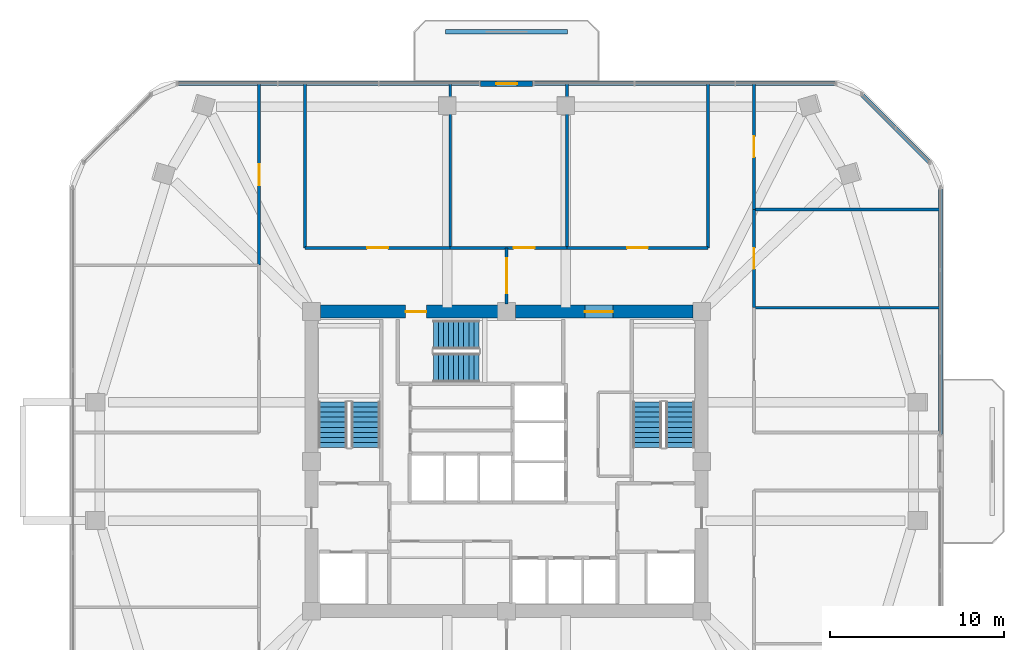
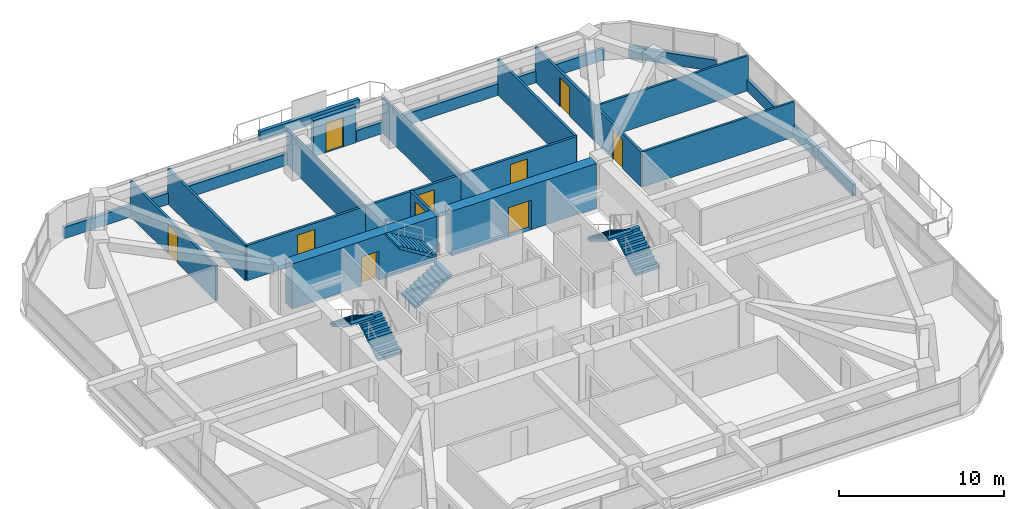
# One storey, part 11 of 13: 21 walls, 10 doors, 6 stair flights, 10 openings, 3 elements without a shape of their own.
"""IFC4 building model written with IfcOpenShell, lengths in metres."""

from ifc_helpers import new_model, si_unit, derived_unit, direction, frame, frame_2d, origin, place, context, subcontext, project, spatial, polyline, rectangle, outline, extrude, material, layer, layer_set, type_object, element, fill, aggregate, save


model = new_model("IFC4")

# Units and contexts
model_context = context("Model", 3, precision=1e-05, world=origin(), true_north=direction((0.0, 1.0)))
body_context = subcontext(model_context, "Body", "Model", "MODEL_VIEW")
ifc_project = project(units=[si_unit("LENGTHUNIT", "METRE"), si_unit("AREAUNIT", "SQUARE_METRE"), si_unit("VOLUMEUNIT", "CUBIC_METRE"), si_unit("PLANEANGLEUNIT", "RADIAN"), si_unit("MASSUNIT", "GRAM", prefix="KILO"), derived_unit("THERMALTRANSMITTANCEUNIT", [(si_unit("POWERUNIT", "WATT"), 1), (si_unit("LENGTHUNIT", "METRE"), -2), (si_unit("THERMODYNAMICTEMPERATUREUNIT", "KELVIN"), -1)])], contexts=[model_context])

# Site, building, storey
site_placement = place(None, origin())
site = spatial("IfcSite", under=ifc_project, at=site_placement, CompositionType="ELEMENT")
building_placement = place(site_placement, origin())
building = spatial("IfcBuilding", under=site, at=building_placement, Name="Koralith Skygarden Medical Center", CompositionType="ELEMENT")
storey_placement = place(building_placement, frame((0.0, 0.0, 109.97998046875)))
storey = spatial("IfcBuildingStorey", under=building, at=storey_placement, Name="L28", CompositionType="ELEMENT", Elevation=109.97998046875)

# Walls
ifc_material_1 = material(Name="Gypsum Board Partition")
ifc_layer_1 = layer(ifc_material_1, 0.14990234375)
ifc_layer_set_1 = layer_set([ifc_layer_1], Name="Gypsum Board Partition")
wall_type_1 = type_object("IfcWallType", Name="Clinical Acoustic Partition 150", PredefinedType="PARTITIONING", material=ifc_layer_set_1)
for number, where, z_axis, x_axis, name in (
    (1, (33.762939453125, 38.159912109375, 0.0), (0.0, 0.0, 1.0), (0.0, 1.0, 0.0), "L28 Clinical Acoustic Partition 150 W-PART-L28-N-01"),
    (2, (40.468017578125, 38.159912109375, 0.0), (0.0, 0.0, 1.0), (0.0, 1.0, 0.0), "L28 Clinical Acoustic Partition 150 W-PART-L28-N-02"),
):
    element("IfcWall", number, at=place(storey_placement, frame(where, z_axis=z_axis, x_axis=x_axis)), inside=storey, type_object=wall_type_1, Name=name, PredefinedType="PARTITIONING", context=body_context, shape_type="SweptSolid", body=[
        extrude(rectangle(XDim=9.4091796875, YDim=0.14990234375, at=frame_2d((4.70458984375, 0.0))), origin(), (0.0, 0.0, 1.0), 2.610107421875),
    ])
for number, where, z_axis, x_axis, name in (
    (3, (51.2099609375, 34.73095703125, 0.0), (0.0, 0.0, 1.0), (1.0, 0.0, 0.0), "L28 Clinical Acoustic Partition 150 W-PART-L28-EN-01"),
    (4, (51.2099609375, 40.365966796875, 0.0), (0.0, 0.0, 1.0), (1.0, 0.0, 0.0), "L28 Clinical Acoustic Partition 150 W-PART-L28-EN-02"),
):
    element("IfcWall", number, at=place(storey_placement, frame(where, z_axis=z_axis, x_axis=x_axis)), inside=storey, type_object=wall_type_1, Name=name, PredefinedType="PARTITIONING", context=body_context, shape_type="SweptSolid", body=[
        extrude(rectangle(XDim=10.676025390625, YDim=0.14990234375, at=frame_2d((5.337890625, 0.0))), origin(), (0.0, 0.0, 1.0), 2.610107421875),
    ])
ifc_layer_2 = layer(ifc_material_1, 0.1650390625)
ifc_layer_set_2 = layer_set([ifc_layer_2], Name="Gypsum Board Partition")
wall_type_2 = type_object("IfcWallType", Name="Clinical Corridor Partition 165", PredefinedType="PARTITIONING", material=ifc_layer_set_2)
for number, where, z_axis, x_axis, name in (
    (5, (25.429931640625, 38.159912109375, 0.0), (0.0, 0.0, 1.0), (0.0, 1.0, 0.0), "L28 Clinical Corridor Partition 165 W-HCOR-L28-NW"),
    (6, (48.570068359375, 38.159912109375, 0.0), (0.0, 0.0, 1.0), (0.0, 1.0, 0.0), "L28 Clinical Corridor Partition 165 W-HCOR-L28-NE"),
):
    element("IfcWall", number, at=place(storey_placement, frame(where, z_axis=z_axis, x_axis=x_axis)), inside=storey, type_object=wall_type_2, Name=name, PredefinedType="PARTITIONING", context=body_context, shape_type="SweptSolid", body=[
        extrude(rectangle(XDim=9.4091796875, YDim=0.1650390625, at=frame_2d((4.70458984375, 0.0))), origin(), (0.0, 0.0, 1.0), 2.610107421875),
    ])

# Wall, opening, door
wall_1_placement = place(storey_placement, frame((25.429931640625, 38.159912109375, 0.0), z_axis=(0.0, 0.0, 1.0), x_axis=(1.0, 0.0, 0.0)))
wall_1 = element("IfcWall", 7, at=wall_1_placement, inside=storey, type_object=wall_type_2, Name="L28 Clinical Corridor Partition 165 W-CORR-L28-N-01", PredefinedType="PARTITIONING", context=body_context, shape_type="SweptSolid", body=[
    extrude(rectangle(XDim=8.3330078125, YDim=0.1650390625, at=frame_2d((4.16650390625, 0.0))), origin(), (0.0, 0.0, 1.0), 2.610107421875),
])
opening_1_placement = place(wall_1_placement, frame((3.56591796875, 0.0, 0.0)))
opening_1 = element("IfcOpeningElement", 8, at=opening_1_placement, cuts=wall_1, Name="Opening D-CLN", PredefinedType="OPENING", context=body_context, shape_type="SweptSolid", body=[
    extrude(rectangle(XDim=1.199951171875, YDim=2.14990234375, at=frame_2d((0.60009765625, 1.074951171875))), frame((0.0, 0.092529296875, 0.0), z_axis=(0.0, -1.0, 0.0), x_axis=(1.0, 0.0, 0.0)), (0.0, 0.0, 1.0), 0.18505859375),
])
ifc_material_2 = material(Name="Aluminium 6063-T6", Category="aluminium")
door_type_1 = type_object("IfcDoorType", Name="Clinical Corridor Door D-CLN 1200", OperationType="NOTDEFINED", PredefinedType="DOOR", material=ifc_material_2)
door_1_placement = place(opening_1_placement, origin())
door_1 = element("IfcDoor", 9, at=door_1_placement, inside=storey, type_object=door_type_1, Name="L28 Tumor Board Conference Room 01 Door", OperationType="SINGLE_SWING_RIGHT", OverallHeight=2.14990234375, OverallWidth=1.199951171875, PredefinedType="DOOR", context=body_context, shape_type="SweptSolid", body=[
    extrude(rectangle(XDim=1.199951171875, YDim=2.14990234375, at=frame_2d((0.60009765625, 1.074951171875))), frame((0.0, 0.02490234375, 0.0), z_axis=(0.0, -1.0, 0.0), x_axis=(1.0, 0.0, 0.0)), (0.0, 0.0, 1.0), 0.050048828125),
])
fill(opening_1, door_1)

wall_2_placement = place(storey_placement, frame((33.762939453125, 38.159912109375, 0.0), z_axis=(0.0, 0.0, 1.0), x_axis=(1.0, 0.0, 0.0)))
wall_2 = element("IfcWall", 10, at=wall_2_placement, inside=storey, type_object=wall_type_2, Name="L28 Clinical Corridor Partition 165 W-CORR-L28-N-02", PredefinedType="PARTITIONING", context=body_context, shape_type="SweptSolid", body=[
    extrude(rectangle(XDim=6.705078125, YDim=0.1650390625, at=frame_2d((3.3525390625, 0.0))), origin(), (0.0, 0.0, 1.0), 2.610107421875),
])
opening_2_placement = place(wall_2_placement, frame((3.64111328125, 0.0, 0.0)))
opening_2 = element("IfcOpeningElement", 11, at=opening_2_placement, cuts=wall_2, Name="Opening D-CLN", PredefinedType="OPENING", context=body_context, shape_type="SweptSolid", body=[
    extrude(rectangle(XDim=1.199951171875, YDim=2.14990234375, at=frame_2d((0.60009765625, 1.074951171875))), frame((0.0, 0.092529296875, 0.0), z_axis=(0.0, -1.0, 0.0), x_axis=(1.0, 0.0, 0.0)), (0.0, 0.0, 1.0), 0.18505859375),
])
door_2_placement = place(opening_2_placement, origin())
door_2 = element("IfcDoor", 12, at=door_2_placement, inside=storey, type_object=door_type_1, Name="L28 Patient and Family Sky-Garden Day Lounge 02 Door", OperationType="SINGLE_SWING_LEFT", OverallHeight=2.14990234375, OverallWidth=1.199951171875, PredefinedType="DOOR", context=body_context, shape_type="SweptSolid", body=[
    extrude(rectangle(XDim=1.199951171875, YDim=2.14990234375, at=frame_2d((0.60009765625, 1.074951171875))), frame((0.0, 0.02490234375, 0.0), z_axis=(0.0, -1.0, 0.0), x_axis=(1.0, 0.0, 0.0)), (0.0, 0.0, 1.0), 0.050048828125),
])
fill(opening_2, door_2)

wall_3_placement = place(storey_placement, frame((40.468017578125, 38.159912109375, 0.0), z_axis=(0.0, 0.0, 1.0), x_axis=(1.0, 0.0, 0.0)))
wall_3 = element("IfcWall", 13, at=wall_3_placement, inside=storey, type_object=wall_type_2, Name="L28 Clinical Corridor Partition 165 W-CORR-L28-N-03", PredefinedType="PARTITIONING", context=body_context, shape_type="SweptSolid", body=[
    extrude(rectangle(XDim=8.10205078125, YDim=0.1650390625, at=frame_2d((4.051025390625, 0.0))), origin(), (0.0, 0.0, 1.0), 2.610107421875),
])
opening_3_placement = place(wall_3_placement, frame((3.450927734375, 0.0, 0.0)))
opening_3 = element("IfcOpeningElement", 14, at=opening_3_placement, cuts=wall_3, Name="Opening D-CLN", PredefinedType="OPENING", context=body_context, shape_type="SweptSolid", body=[
    extrude(rectangle(XDim=1.199951171875, YDim=2.14990234375, at=frame_2d((0.60009765625, 1.074951171875))), frame((0.0, 0.092529296875, 0.0), z_axis=(0.0, -1.0, 0.0), x_axis=(1.0, 0.0, 0.0)), (0.0, 0.0, 1.0), 0.18505859375),
])
door_3_placement = place(opening_3_placement, origin())
door_3 = element("IfcDoor", 15, at=door_3_placement, inside=storey, type_object=door_type_1, Name="L28 Oncology Examination Room 03 Door", OperationType="SINGLE_SWING_RIGHT", OverallHeight=2.14990234375, OverallWidth=1.199951171875, PredefinedType="DOOR", context=body_context, shape_type="SweptSolid", body=[
    extrude(rectangle(XDim=1.199951171875, YDim=2.14990234375, at=frame_2d((0.60009765625, 1.074951171875))), frame((0.0, 0.02490234375, 0.0), z_axis=(0.0, -1.0, 0.0), x_axis=(1.0, 0.0, 0.0)), (0.0, 0.0, 1.0), 0.050048828125),
])
fill(opening_3, door_3)

wall_4_placement = place(storey_placement, frame((22.7900390625, 37.1640625, 0.0), z_axis=(0.0, 0.0, 1.0), x_axis=(0.0, 1.0, 0.0)))
wall_4 = element("IfcWall", 16, at=wall_4_placement, inside=storey, type_object=wall_type_2, Name="L28 Clinical Corridor Partition 165 W-CORR-L28-WN-02", PredefinedType="PARTITIONING", context=body_context, shape_type="SweptSolid", body=[
    extrude(rectangle(XDim=10.405029296875, YDim=0.1650390625, at=frame_2d((5.20263671875, 0.0))), origin(), (0.0, 0.0, 1.0), 2.610107421875),
])
opening_4_placement = place(wall_4_placement, frame((4.60302734375, 0.0, 0.0)))
opening_4 = element("IfcOpeningElement", 17, at=opening_4_placement, cuts=wall_4, Name="Opening D-CLN", PredefinedType="OPENING", context=body_context, shape_type="SweptSolid", body=[
    extrude(rectangle(XDim=1.199951171875, YDim=2.14990234375, at=frame_2d((0.60009765625, 1.074951171875))), frame((0.0, 0.092529296875, 0.0), z_axis=(0.0, -1.0, 0.0), x_axis=(1.0, 0.0, 0.0)), (0.0, 0.0, 1.0), 0.18505859375),
])
door_4_placement = place(opening_4_placement, frame((1.199951171875, 0.0, 0.0), z_axis=(0.0, 0.0, 1.0), x_axis=(-1.0, 0.0, 0.0)))
door_4 = element("IfcDoor", 18, at=door_4_placement, inside=storey, type_object=door_type_1, Name="L28 Tumor Board Conference Room 10 Door", OperationType="SINGLE_SWING_LEFT", OverallHeight=2.14990234375, OverallWidth=1.199951171875, PredefinedType="DOOR", context=body_context, shape_type="SweptSolid", body=[
    extrude(rectangle(XDim=1.199951171875, YDim=2.14990234375, at=frame_2d((0.60009765625, 1.074951171875))), frame((0.0, 0.02490234375, 0.0), z_axis=(0.0, -1.0, 0.0), x_axis=(1.0, 0.0, 0.0)), (0.0, 0.0, 1.0), 0.050048828125),
])
fill(opening_4, door_4)

wall_5_placement = place(storey_placement, frame((51.2099609375, 34.73095703125, 0.0), z_axis=(0.0, 0.0, 1.0), x_axis=(0.0, 1.0, 0.0)))
wall_5 = element("IfcWall", 19, at=wall_5_placement, inside=storey, type_object=wall_type_2, Name="L28 Clinical Corridor Partition 165 W-CORR-L28-EN-02", PredefinedType="PARTITIONING", context=body_context, shape_type="SweptSolid", body=[
    extrude(rectangle(XDim=5.635009765625, YDim=0.1650390625, at=frame_2d((2.8173828125, 0.0))), origin(), (0.0, 0.0, 1.0), 2.610107421875),
])
opening_5_placement = place(wall_5_placement, frame((2.217041015625, 0.0, 0.0)))
opening_5 = element("IfcOpeningElement", 20, at=opening_5_placement, cuts=wall_5, Name="Opening D-CLN", PredefinedType="OPENING", context=body_context, shape_type="SweptSolid", body=[
    extrude(rectangle(XDim=1.199951171875, YDim=2.14990234375, at=frame_2d((0.60009765625, 1.074951171875))), frame((0.0, 0.092529296875, 0.0), z_axis=(0.0, -1.0, 0.0), x_axis=(1.0, 0.0, 0.0)), (0.0, 0.0, 1.0), 0.18505859375),
])
door_5_placement = place(opening_5_placement, origin())
door_5 = element("IfcDoor", 21, at=door_5_placement, inside=storey, type_object=door_type_1, Name="L28 Tumor Board Conference Room 14 Door", OperationType="SINGLE_SWING_LEFT", OverallHeight=2.14990234375, OverallWidth=1.199951171875, PredefinedType="DOOR", context=body_context, shape_type="SweptSolid", body=[
    extrude(rectangle(XDim=1.199951171875, YDim=2.14990234375, at=frame_2d((0.60009765625, 1.074951171875))), frame((0.0, 0.02490234375, 0.0), z_axis=(0.0, -1.0, 0.0), x_axis=(1.0, 0.0, 0.0)), (0.0, 0.0, 1.0), 0.050048828125),
])
fill(opening_5, door_5)

wall_6_placement = place(storey_placement, frame((51.2099609375, 40.365966796875, 0.0), z_axis=(0.0, 0.0, 1.0), x_axis=(0.0, 1.0, 0.0)))
wall_6 = element("IfcWall", 22, at=wall_6_placement, inside=storey, type_object=wall_type_2, Name="L28 Clinical Corridor Partition 165 W-CORR-L28-EN-03", PredefinedType="PARTITIONING", context=body_context, shape_type="SweptSolid", body=[
    extrude(rectangle(XDim=7.203125, YDim=0.1650390625, at=frame_2d((3.6015625, 0.0))), origin(), (0.0, 0.0, 1.0), 2.610107421875),
])
opening_6_placement = place(wall_6_placement, frame((3.001953125, 0.0, 0.0)))
opening_6 = element("IfcOpeningElement", 23, at=opening_6_placement, cuts=wall_6, Name="Opening D-CLN", PredefinedType="OPENING", context=body_context, shape_type="SweptSolid", body=[
    extrude(rectangle(XDim=1.199951171875, YDim=2.14990234375, at=frame_2d((0.60009765625, 1.074951171875))), frame((0.0, 0.092529296875, 0.0), z_axis=(0.0, -1.0, 0.0), x_axis=(1.0, 0.0, 0.0)), (0.0, 0.0, 1.0), 0.18505859375),
])
door_6_placement = place(opening_6_placement, origin())
door_6 = element("IfcDoor", 24, at=door_6_placement, inside=storey, type_object=door_type_1, Name="L28 Oncology Examination Room 15 Door", OperationType="SINGLE_SWING_RIGHT", OverallHeight=2.14990234375, OverallWidth=1.199951171875, PredefinedType="DOOR", context=body_context, shape_type="SweptSolid", body=[
    extrude(rectangle(XDim=1.199951171875, YDim=2.14990234375, at=frame_2d((0.60009765625, 1.074951171875))), frame((0.0, 0.02490234375, 0.0), z_axis=(0.0, -1.0, 0.0), x_axis=(1.0, 0.0, 0.0)), (0.0, 0.0, 1.0), 0.050048828125),
])
fill(opening_6, door_6)

ifc_layer_3 = layer(ifc_material_1, 0.179931640625)
ifc_layer_set_3 = layer_set([ifc_layer_3], Name="Gypsum Board Partition")
wall_type_3 = type_object("IfcWallType", Name="Group I-2 Smoke Barrier Wall 180", PredefinedType="PARTITIONING", material=ifc_layer_set_3)
wall_7_placement = place(storey_placement, frame((37.0, 34.949951171875, 0.0), z_axis=(0.0, 0.0, 1.0), x_axis=(0.0, 1.0, 0.0)))
wall_7 = element("IfcWall", 25, at=wall_7_placement, inside=storey, type_object=wall_type_3, Name="L28 Group I-2 Smoke Barrier Wall 180 W-SMK-L28-N", PredefinedType="PARTITIONING", context=body_context, shape_type="SweptSolid", body=[
    extrude(rectangle(XDim=3.2099609375, YDim=0.179931640625, at=frame_2d((1.60498046875, 0.0))), origin(), (0.0, 0.0, 1.0), 2.610107421875),
])
opening_7_placement = place(wall_7_placement, frame((0.60498046875, 0.0, 0.0)))
opening_7 = element("IfcOpeningElement", 26, at=opening_7_placement, cuts=wall_7, Name="Opening D-SMK", PredefinedType="OPENING", context=body_context, shape_type="SweptSolid", body=[
    extrude(rectangle(XDim=2.0, YDim=2.199951171875, at=frame_2d((1.0, 1.10009765625))), frame((0.0, 0.099853515625, 0.0), z_axis=(0.0, -1.0, 0.0), x_axis=(1.0, 0.0, 0.0)), (0.0, 0.0, 1.0), 0.199951171875),
])
ifc_material_3 = material(Name="Steel ASTM A500 Grade C", Category="steel")
door_type_2 = type_object("IfcDoorType", Name="Cross-Corridor Double Smoke Door FD60S 2000", OperationType="NOTDEFINED", PredefinedType="DOOR", material=ifc_material_3)
door_7_placement = place(opening_7_placement, origin())
door_7 = element("IfcDoor", 27, at=door_7_placement, inside=storey, type_object=door_type_2, Name="L28 N Smoke Compartment Cross-Corridor Door", OperationType="DOUBLE_DOOR_SINGLE_SWING", OverallHeight=2.199951171875, OverallWidth=2.0, PredefinedType="DOOR", context=body_context, shape_type="SweptSolid", body=[
    extrude(rectangle(XDim=2.0, YDim=2.199951171875, at=frame_2d((1.0, 1.10009765625))), frame((0.0, 0.02490234375, 0.0), z_axis=(0.0, -1.0, 0.0), x_axis=(1.0, 0.0, 0.0)), (0.0, 0.0, 1.0), 0.050048828125),
])
fill(opening_7, door_7)

# Walls
ifc_material_4 = material(Name="Warm Oolitic Limestone Cladding", Category="masonry")
ifc_layer_4 = layer(ifc_material_4, 0.239990234375)
ifc_layer_set_4 = layer_set([ifc_layer_4], Name="Warm Oolitic Limestone Cladding")
wall_type_4 = type_object("IfcWallType", Name="Limestone Spandrel Sill Backup Wall 240", PredefinedType="SOLIDWALL", material=ifc_layer_set_4)
wall_8_placement = place(storey_placement, frame((61.906005859375, 27.43896484375, 0.0), z_axis=(0.0, 0.0, 1.0), x_axis=(0.0, 1.0, 0.0)))
element("IfcWall", 28, at=wall_8_placement, inside=storey, type_object=wall_type_4, Name="L28 Sill Spandrel E-R", PredefinedType="SOLIDWALL", context=body_context, shape_type="SweptSolid", body=[
    extrude(rectangle(XDim=14.175048828125, YDim=0.239990234375, at=frame_2d((7.08740234375, 0.0))), origin(), (0.0, 0.0, 1.0), 0.85009765625),
])
wall_9_placement = place(storey_placement, frame((61.304931640625, 43.06494140625, 0.0), z_axis=(0.0, 0.0, 1.0), x_axis=(-0.707084777957, 0.707128783731, 0.0)))
element("IfcWall", 29, at=wall_9_placement, inside=storey, type_object=wall_type_4, Name="L28 Sill Spandrel NE", PredefinedType="SOLIDWALL", context=body_context, shape_type="SweptSolid", body=[
    extrude(rectangle(XDim=5.5478515625, YDim=0.239990234375, at=frame_2d((2.77392578125, 0.0))), origin(), (0.0, 0.0, 1.0), 0.85009765625),
])
wall_10_placement = place(storey_placement, frame((55.930908203125, 47.589111328125, 0.0), z_axis=(0.0, 0.0, 1.0), x_axis=(-1.0, 0.0, 0.0)))
element("IfcWall", 30, at=wall_10_placement, inside=storey, type_object=wall_type_4, Name="L28 Sill Spandrel N-L", PredefinedType="SOLIDWALL", context=body_context, shape_type="SweptSolid", body=[
    extrude(rectangle(XDim=17.389892578125, YDim=0.239990234375, at=frame_2d((8.69482421875, 0.0))), origin(), (0.0, 0.0, 1.0), 0.85009765625),
])
wall_11_placement = place(storey_placement, frame((35.4609375, 47.589111328125, 0.0), z_axis=(0.0, 0.0, 1.0), x_axis=(-1.0, 0.0, 0.0)))
element("IfcWall", 31, at=wall_11_placement, inside=storey, type_object=wall_type_4, Name="L28 Sill Spandrel N-R", PredefinedType="SOLIDWALL", context=body_context, shape_type="SweptSolid", body=[
    extrude(rectangle(XDim=17.391845703125, YDim=0.239990234375, at=frame_2d((8.69580078125, 0.0))), origin(), (0.0, 0.0, 1.0), 0.85009765625),
])

# Wall, opening, door
ifc_material_5 = material(Name="Concrete C70/85", Category="concrete")
ifc_layer_5 = layer(ifc_material_5, 0.75)
ifc_layer_set_5 = layer_set([ifc_layer_5], Name="Concrete C70/85")
wall_type_5 = type_object("IfcWallType", Name="Mid Core Shear Wall 750", PredefinedType="SHEAR", material=ifc_layer_set_5)
wall_12_placement = place(storey_placement, frame((47.695068359375, 34.5, 0.0), z_axis=(0.0, 0.0, 1.0), x_axis=(-1.0, 0.0, 0.0)))
wall_12 = element("IfcWall", 32, at=wall_12_placement, inside=storey, type_object=wall_type_5, Name="L28 Core Shear Wall Segment 5", PredefinedType="SHEAR", context=body_context, shape_type="SweptSolid", body=[
    extrude(rectangle(XDim=10.190185546875, YDim=0.75, at=frame_2d((5.09521484375, 0.0))), origin(), (0.0, 0.0, 1.0), 3.320068359375),
])
opening_8_placement = place(wall_12_placement, frame((4.594970703125, 0.0, 0.0)))
opening_8 = element("IfcOpeningElement", 33, at=opening_8_placement, cuts=wall_12, Name="Opening D-DBL", PredefinedType="OPENING", context=body_context, shape_type="SweptSolid", body=[
    extrude(rectangle(XDim=1.60009765625, YDim=2.199951171875, at=frame_2d((0.800048828125, 1.10009765625))), frame((0.0, 0.385009765625, 0.0), z_axis=(0.0, -1.0, 0.0), x_axis=(1.0, 0.0, 0.0)), (0.0, 0.0, 1.0), 0.77001953125),
])
door_type_3 = type_object("IfcDoorType", Name="Double Clinical Suite Door D-DBL 1600", OperationType="NOTDEFINED", PredefinedType="DOOR", material=ifc_material_2)
door_8_placement = place(opening_8_placement, frame((1.60009765625, 0.0, 0.0), z_axis=(0.0, 0.0, 1.0), x_axis=(-1.0, 0.0, 0.0)))
door_8 = element("IfcDoor", 34, at=door_8_placement, inside=storey, type_object=door_type_3, Name="L28 North-East Corridor to Elevator Lobby Door", OperationType="DOUBLE_DOOR_SINGLE_SWING", OverallHeight=2.199951171875, OverallWidth=1.60009765625, PredefinedType="DOOR", context=body_context, shape_type="SweptSolid", body=[
    extrude(rectangle(XDim=1.60009765625, YDim=2.199951171875, at=frame_2d((0.800048828125, 1.10009765625))), frame((0.0, 0.02490234375, 0.0), z_axis=(0.0, -1.0, 0.0), x_axis=(1.0, 0.0, 0.0)), (0.0, 0.0, 1.0), 0.050048828125),
])
fill(opening_8, door_8)

wall_13_placement = place(storey_placement, frame((36.4951171875, 34.5, 0.0), z_axis=(0.0, 0.0, 1.0), x_axis=(-1.0, 0.0, 0.0)))
wall_13 = element("IfcWall", 35, at=wall_13_placement, inside=storey, type_object=wall_type_5, Name="L28 Core Shear Wall Segment 6", PredefinedType="SHEAR", context=body_context, shape_type="SweptSolid", body=[
    extrude(rectangle(XDim=10.190185546875, YDim=0.75, at=frame_2d((5.09521484375, 0.0))), origin(), (0.0, 0.0, 1.0), 3.320068359375),
])
opening_9_placement = place(wall_13_placement, frame((4.094970703125, 0.0, 0.0)))
opening_9 = element("IfcOpeningElement", 36, at=opening_9_placement, cuts=wall_13, Name="Opening D-ST60", PredefinedType="OPENING", context=body_context, shape_type="SweptSolid", body=[
    extrude(rectangle(XDim=1.199951171875, YDim=2.14990234375, at=frame_2d((0.60009765625, 1.074951171875))), frame((0.0, 0.385009765625, 0.0), z_axis=(0.0, -1.0, 0.0), x_axis=(1.0, 0.0, 0.0)), (0.0, 0.0, 1.0), 0.77001953125),
])
door_type_4 = type_object("IfcDoorType", Name="Smokeproof Stair Fire Door FD60S 1200", OperationType="NOTDEFINED", PredefinedType="DOOR", material=ifc_material_3)
door_9_placement = place(opening_9_placement, frame((1.199951171875, 0.0, 0.0), z_axis=(0.0, 0.0, 1.0), x_axis=(-1.0, 0.0, 0.0)))
door_9 = element("IfcDoor", 37, at=door_9_placement, inside=storey, type_object=door_type_4, Name="L28 Exit Stair ST3 Fire Door", OperationType="SINGLE_SWING_LEFT", OverallHeight=2.14990234375, OverallWidth=1.199951171875, PredefinedType="DOOR", context=body_context, shape_type="SweptSolid", body=[
    extrude(rectangle(XDim=1.199951171875, YDim=2.14990234375, at=frame_2d((0.60009765625, 1.074951171875))), frame((0.0, 0.02490234375, 0.0), z_axis=(0.0, -1.0, 0.0), x_axis=(1.0, 0.0, 0.0)), (0.0, 0.0, 1.0), 0.050048828125),
])
fill(opening_9, door_9)

ifc_layer_6 = layer(ifc_material_4, 0.300048828125)
ifc_layer_set_6 = layer_set([ifc_layer_6], Name="Warm Oolitic Limestone Cladding")
wall_type_6 = type_object("IfcWallType", Name="Oolitic Limestone Insulated Facade Wall 300", PredefinedType="SOLIDWALL", material=ifc_layer_set_6)
wall_14_placement = place(storey_placement, frame((38.5009765625, 47.589111328125, 0.0), z_axis=(0.0, 0.0, 1.0), x_axis=(-1.0, 0.0, 0.0)))
wall_14 = element("IfcWall", 38, at=wall_14_placement, inside=storey, type_object=wall_type_6, Name="L28 Terrace Portal Wall N", PredefinedType="SOLIDWALL", context=body_context, shape_type="SweptSolid", body=[
    extrude(rectangle(XDim=3.0, YDim=0.300048828125, at=frame_2d((1.5, 0.0))), origin(), (0.0, 0.0, 1.0), 2.669921875),
])
opening_10_placement = place(wall_14_placement, frame((0.89990234375, 0.0, 0.0)))
opening_10 = element("IfcOpeningElement", 39, at=opening_10_placement, cuts=wall_14, Name="Opening D-BAL", PredefinedType="OPENING", context=body_context, shape_type="SweptSolid", body=[
    extrude(rectangle(XDim=1.199951171875, YDim=2.199951171875, at=frame_2d((0.60009765625, 1.10009765625))), frame((0.0, 0.159912109375, 0.0), z_axis=(0.0, -1.0, 0.0), x_axis=(1.0, 0.0, 0.0)), (0.0, 0.0, 1.0), 0.320068359375),
])
door_type_5 = type_object("IfcDoorType", Name="Planted Balcony Glazed Terrace Door D-BAL 1200", OperationType="NOTDEFINED", PredefinedType="DOOR", material=ifc_material_2)
door_10_placement = place(opening_10_placement, origin())
door_10 = element("IfcDoor", 40, at=door_10_placement, inside=storey, type_object=door_type_5, Name="L28 N Outdoor Terrace Access Door", OperationType="SINGLE_SWING_LEFT", OverallHeight=2.199951171875, OverallWidth=1.199951171875, PredefinedType="DOOR", context=body_context, shape_type="SweptSolid", body=[
    extrude(rectangle(XDim=1.199951171875, YDim=2.199951171875, at=frame_2d((0.60009765625, 1.10009765625))), frame((0.0, 0.02490234375, 0.0), z_axis=(0.0, -1.0, 0.0), x_axis=(1.0, 0.0, 0.0)), (0.0, 0.0, 1.0), 0.050048828125),
])
fill(opening_10, door_10)

# Wall
ifc_material_6 = material(Name="Precast concrete C40/50", Category="concrete")
ifc_layer_7 = layer(ifc_material_6, 0.25)
ifc_layer_set_7 = layer_set([ifc_layer_7], Name="Precast concrete C40/50")
wall_type_7 = type_object("IfcWallType", Name="Structural Concrete Balcony Planter Kerb 250", PredefinedType="PARAPET", material=ifc_layer_set_7)
wall_15_placement = place(storey_placement, frame((33.5, 50.569091796875, 0.0), z_axis=(0.0, 0.0, 1.0), x_axis=(1.0, 0.0, 0.0)))
element("IfcWall", 41, at=wall_15_placement, inside=storey, type_object=wall_type_7, Name="L28 N Structural Tree PLANTER Box", PredefinedType="PARAPET", context=body_context, shape_type="SweptSolid", body=[
    extrude(rectangle(XDim=7.0, YDim=0.25, at=frame_2d((3.5, 0.0))), origin(), (0.0, 0.0, 1.0), 0.719970703125),
])

# Stair, stair flights
ifc_material_7 = material(Name="Concrete C45/55", Category="concrete")
stair_type = type_object("IfcStairType", Name="Core Exit Dogleg Concrete Stair", PredefinedType="HALF_TURN_STAIR", material=ifc_material_7)
stair_1_placement = place(storey_placement, origin())
stair_1 = element("IfcStair", 42, at=stair_1_placement, inside=storey, type_object=stair_type, Name="L28 Smokeproof Exit Stair ST1", PredefinedType="HALF_TURN_STAIR")
stair_flight_type = type_object("IfcStairFlightType", Name="Core Exit Concrete Stair Flight 1650", PredefinedType="STRAIGHT", material=ifc_material_7)
stair_flight_1_placement = place(storey_placement, frame((28.925048828125, 26.699951171875, 0.0), z_axis=(0.0, 0.0, 1.0), x_axis=(0.0, 1.0, 0.0)))
stair_flight_1 = element("IfcStairFlight", 43, at=stair_flight_1_placement, type_object=stair_flight_type, Name="ST1 flight 1", NumberOfRisers=10, NumberOfTreads=9, PredefinedType="STRAIGHT", RiserHeight=0.18, TreadLength=0.29, context=body_context, shape_type="SweptSolid", body=[
    extrude(outline(polyline([(0.0, 0.0), (0.0, 0.179931640625), (0.2900390625, 0.179931640625), (0.2900390625, 0.360107421875), (0.580078125, 0.360107421875), (0.580078125, 0.5400390625), (0.8701171875, 0.5400390625), (0.8701171875, 0.719970703125), (1.159912109375, 0.719970703125), (1.159912109375, 0.89990234375), (1.449951171875, 0.89990234375), (1.449951171875, 1.080078125), (1.739990234375, 1.080078125), (1.739990234375, 1.260009765625), (2.030029296875, 1.260009765625), (2.030029296875, 1.43994140625), (2.320068359375, 1.43994140625), (2.320068359375, 1.6201171875), (2.610107421875, 1.6201171875), (2.610107421875, 1.800048828125), (2.610107421875, 1.443603515625), (0.2841796875, 0.0), (0.0, 0.0)])), frame((0.0, 0.824951171875, 0.0), z_axis=(0.0, -1.0, 0.0), x_axis=(1.0, 0.0, 0.0)), (0.0, 0.0, 1.0), 1.64990234375),
])
stair_flight_2_placement = place(storey_placement, frame((27.02490234375, 29.31005859375, 1.800048828125), z_axis=(0.0, 0.0, 1.0), x_axis=(0.0, -1.0, 0.0)))
stair_flight_2 = element("IfcStairFlight", 44, at=stair_flight_2_placement, type_object=stair_flight_type, Name="ST1 flight 2", NumberOfRisers=10, NumberOfTreads=9, PredefinedType="STRAIGHT", RiserHeight=0.18, TreadLength=0.29, context=body_context, shape_type="SweptSolid", body=[
    extrude(outline(polyline([(0.0, 0.0), (0.0, 0.179931640625), (0.2900390625, 0.179931640625), (0.2900390625, 0.360107421875), (0.580078125, 0.360107421875), (0.580078125, 0.5400390625), (0.8701171875, 0.5400390625), (0.8701171875, 0.719970703125), (1.159912109375, 0.719970703125), (1.159912109375, 0.89990234375), (1.449951171875, 0.89990234375), (1.449951171875, 1.080078125), (1.739990234375, 1.080078125), (1.739990234375, 1.260009765625), (2.030029296875, 1.260009765625), (2.030029296875, 1.43994140625), (2.320068359375, 1.43994140625), (2.320068359375, 1.6201171875), (2.610107421875, 1.6201171875), (2.610107421875, 1.800048828125), (2.610107421875, 1.443603515625), (0.2841796875, 0.0), (0.0, 0.0)])), frame((0.0, 0.824951171875, 0.0), z_axis=(0.0, -1.0, 0.0), x_axis=(1.0, 0.0, 0.0)), (0.0, 0.0, 1.0), 1.64990234375),
])
aggregate(stair_1, [stair_flight_1, stair_flight_2])

stair_2_placement = place(storey_placement, origin())
stair_2 = element("IfcStair", 45, at=stair_2_placement, inside=storey, type_object=stair_type, Name="L28 Smokeproof Exit Stair ST2", PredefinedType="HALF_TURN_STAIR")
stair_flight_3_placement = place(storey_placement, frame((46.97509765625, 26.699951171875, 0.0), z_axis=(0.0, 0.0, 1.0), x_axis=(0.0, 1.0, 0.0)))
stair_flight_3 = element("IfcStairFlight", 46, at=stair_flight_3_placement, type_object=stair_flight_type, Name="ST2 flight 1", NumberOfRisers=10, NumberOfTreads=9, PredefinedType="STRAIGHT", RiserHeight=0.18, TreadLength=0.29, context=body_context, shape_type="SweptSolid", body=[
    extrude(outline(polyline([(0.0, 0.0), (0.0, 0.179931640625), (0.2900390625, 0.179931640625), (0.2900390625, 0.360107421875), (0.580078125, 0.360107421875), (0.580078125, 0.5400390625), (0.8701171875, 0.5400390625), (0.8701171875, 0.719970703125), (1.159912109375, 0.719970703125), (1.159912109375, 0.89990234375), (1.449951171875, 0.89990234375), (1.449951171875, 1.080078125), (1.739990234375, 1.080078125), (1.739990234375, 1.260009765625), (2.030029296875, 1.260009765625), (2.030029296875, 1.43994140625), (2.320068359375, 1.43994140625), (2.320068359375, 1.6201171875), (2.610107421875, 1.6201171875), (2.610107421875, 1.800048828125), (2.610107421875, 1.443603515625), (0.2841796875, 0.0), (0.0, 0.0)])), frame((0.0, 0.824951171875, 0.0), z_axis=(0.0, -1.0, 0.0), x_axis=(1.0, 0.0, 0.0)), (0.0, 0.0, 1.0), 1.64990234375),
])
stair_flight_4_placement = place(storey_placement, frame((45.074951171875, 29.31005859375, 1.800048828125), z_axis=(0.0, 0.0, 1.0), x_axis=(0.0, -1.0, 0.0)))
stair_flight_4 = element("IfcStairFlight", 47, at=stair_flight_4_placement, type_object=stair_flight_type, Name="ST2 flight 2", NumberOfRisers=10, NumberOfTreads=9, PredefinedType="STRAIGHT", RiserHeight=0.18, TreadLength=0.29, context=body_context, shape_type="SweptSolid", body=[
    extrude(outline(polyline([(0.0, 0.0), (0.0, 0.179931640625), (0.2900390625, 0.179931640625), (0.2900390625, 0.360107421875), (0.580078125, 0.360107421875), (0.580078125, 0.5400390625), (0.8701171875, 0.5400390625), (0.8701171875, 0.719970703125), (1.159912109375, 0.719970703125), (1.159912109375, 0.89990234375), (1.449951171875, 0.89990234375), (1.449951171875, 1.080078125), (1.739990234375, 1.080078125), (1.739990234375, 1.260009765625), (2.030029296875, 1.260009765625), (2.030029296875, 1.43994140625), (2.320068359375, 1.43994140625), (2.320068359375, 1.6201171875), (2.610107421875, 1.6201171875), (2.610107421875, 1.800048828125), (2.610107421875, 1.443603515625), (0.2841796875, 0.0), (0.0, 0.0)])), frame((0.0, 0.824951171875, 0.0), z_axis=(0.0, -1.0, 0.0), x_axis=(1.0, 0.0, 0.0)), (0.0, 0.0, 1.0), 1.64990234375),
])
aggregate(stair_2, [stair_flight_3, stair_flight_4])

stair_3_placement = place(storey_placement, origin())
stair_3 = element("IfcStair", 48, at=stair_3_placement, inside=storey, type_object=stair_type, Name="L28 Smokeproof Exit Stair ST3", PredefinedType="HALF_TURN_STAIR")
stair_flight_5_placement = place(storey_placement, frame((32.800048828125, 31.27490234375, 0.0), z_axis=(0.0, 0.0, 1.0), x_axis=(1.0, 0.0, 0.0)))
stair_flight_5 = element("IfcStairFlight", 49, at=stair_flight_5_placement, type_object=stair_flight_type, Name="ST3 flight 1", NumberOfRisers=10, NumberOfTreads=9, PredefinedType="STRAIGHT", RiserHeight=0.18, TreadLength=0.29, context=body_context, shape_type="SweptSolid", body=[
    extrude(outline(polyline([(0.0, 0.0), (0.0, 0.179931640625), (0.2900390625, 0.179931640625), (0.2900390625, 0.360107421875), (0.580078125, 0.360107421875), (0.580078125, 0.5400390625), (0.8701171875, 0.5400390625), (0.8701171875, 0.719970703125), (1.159912109375, 0.719970703125), (1.159912109375, 0.89990234375), (1.449951171875, 0.89990234375), (1.449951171875, 1.080078125), (1.739990234375, 1.080078125), (1.739990234375, 1.260009765625), (2.030029296875, 1.260009765625), (2.030029296875, 1.43994140625), (2.320068359375, 1.43994140625), (2.320068359375, 1.6201171875), (2.610107421875, 1.6201171875), (2.610107421875, 1.800048828125), (2.610107421875, 1.443603515625), (0.2841796875, 0.0), (0.0, 0.0)])), frame((0.0, 0.824951171875, 0.0), z_axis=(0.0, -1.0, 0.0), x_axis=(1.0, 0.0, 0.0)), (0.0, 0.0, 1.0), 1.64990234375),
])
stair_flight_6_placement = place(storey_placement, frame((35.409912109375, 33.175048828125, 1.800048828125), z_axis=(0.0, 0.0, 1.0), x_axis=(-1.0, 0.0, 0.0)))
stair_flight_6 = element("IfcStairFlight", 50, at=stair_flight_6_placement, type_object=stair_flight_type, Name="ST3 flight 2", NumberOfRisers=10, NumberOfTreads=9, PredefinedType="STRAIGHT", RiserHeight=0.18, TreadLength=0.29, context=body_context, shape_type="SweptSolid", body=[
    extrude(outline(polyline([(0.0, 0.0), (0.0, 0.179931640625), (0.2900390625, 0.179931640625), (0.2900390625, 0.360107421875), (0.580078125, 0.360107421875), (0.580078125, 0.5400390625), (0.8701171875, 0.5400390625), (0.8701171875, 0.719970703125), (1.159912109375, 0.719970703125), (1.159912109375, 0.89990234375), (1.449951171875, 0.89990234375), (1.449951171875, 1.080078125), (1.739990234375, 1.080078125), (1.739990234375, 1.260009765625), (2.030029296875, 1.260009765625), (2.030029296875, 1.43994140625), (2.320068359375, 1.43994140625), (2.320068359375, 1.6201171875), (2.610107421875, 1.6201171875), (2.610107421875, 1.800048828125), (2.610107421875, 1.443603515625), (0.2841796875, 0.0), (0.0, 0.0)])), frame((0.0, 0.824951171875, 0.0), z_axis=(0.0, -1.0, 0.0), x_axis=(1.0, 0.0, 0.0)), (0.0, 0.0, 1.0), 1.64990234375),
])
aggregate(stair_3, [stair_flight_5, stair_flight_6])

save(model, "model.ifc")
